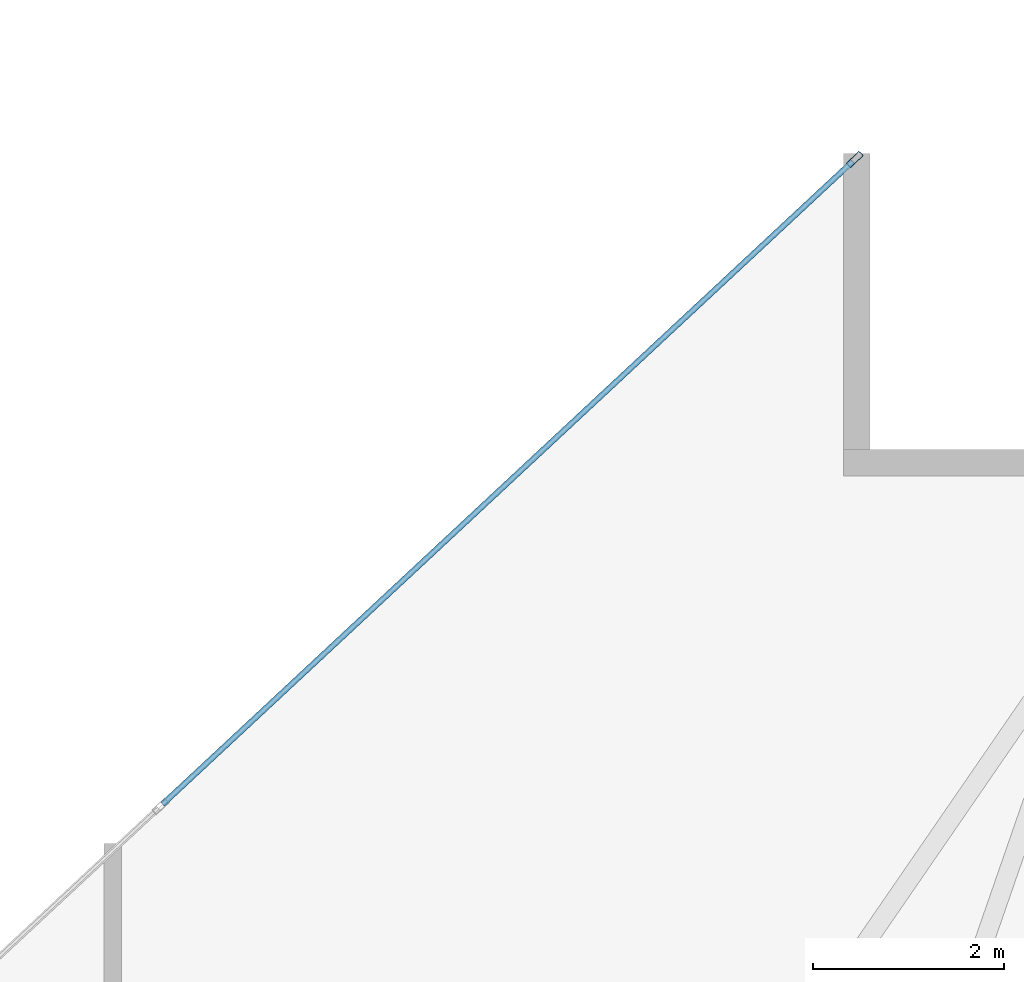
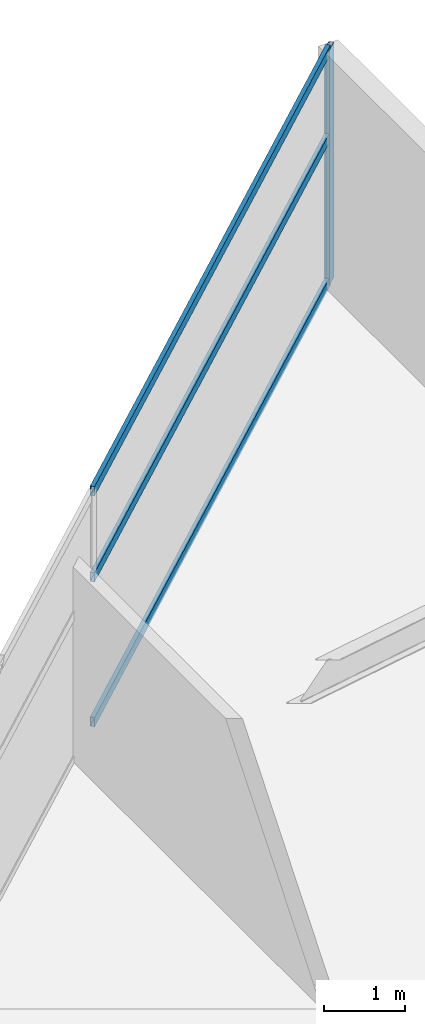
# One storey, part 20 of 27: 4 members, 1 element without a shape of its own.
"""IFC4 building model written with IfcOpenShell, lengths in metres."""

from ifc_helpers import new_model, si_unit, direction, frame, origin, origin_2d, place, context, subcontext, project, spatial, hollow_rectangle, extrude, material, layer, layer_set, material_profile, profile_set, type_object, element, aggregate, save


model = new_model("IFC4")

# Units and contexts
model_context = context("Model", 3, precision=1e-05, world=origin(), true_north=direction((0.0, 1.0)))
body_context = subcontext(model_context, "Body", "Model", "MODEL_VIEW")
ifc_project = project(units=[si_unit("LENGTHUNIT", "METRE"), si_unit("AREAUNIT", "SQUARE_METRE"), si_unit("VOLUMEUNIT", "CUBIC_METRE"), si_unit("PLANEANGLEUNIT", "RADIAN"), si_unit("MASSUNIT", "GRAM", prefix="KILO")], contexts=[model_context])

# Site, building, storey
site_placement = place(None, origin())
site = spatial("IfcSite", under=ifc_project, at=site_placement, CompositionType="ELEMENT")
building_placement = place(site_placement, origin())
building = spatial("IfcBuilding", under=site, at=building_placement, Name="Calvorn Quay Hotel", CompositionType="ELEMENT")
storey_placement = place(building_placement, frame((0.0, 0.0, 230.699951171875)))
storey = spatial("IfcBuildingStorey", under=building, at=storey_placement, Name="L57", CompositionType="ELEMENT", Elevation=230.699951171875)

# Curtain wall, members
ifc_material_1 = material(Name="Champagne Bronze Anodised Aluminium and Low-E Glass", Category="aluminium")
ifc_layer = layer(ifc_material_1, 0.219970703125)
ifc_layer_set = layer_set([ifc_layer], Name="CW-SYS-Z3")
curtain_wall_type = type_object("IfcCurtainWallType", Name="CW-SYS-Z3", PredefinedType="NOTDEFINED", material=ifc_layer_set)
curtain_wall_placement = place(storey_placement, origin())
curtain_wall = element("IfcCurtainWall", 1, at=curtain_wall_placement, inside=storey, type_object=curtain_wall_type, Name="Inner Court Curtain Wall L57-NE1", PredefinedType="NOTDEFINED")
ifc_material_2 = material(Name="Champagne Bronze Anodised Aluminium 6063-T6", Category="aluminium")
ifc_material_profile_1 = material_profile(ifc_material_2, hollow_rectangle(XDim=0.068115234375, YDim=0.18505859375, WallThickness=0.00390625, at=origin_2d()), Name="ALU-M185x68x4")
ifc_profile_set_1 = profile_set([ifc_material_profile_1], Name="Champagne Bronze Anodised Aluminium 6063-T6")
member_type_1 = type_object("IfcMemberType", Name="CW-SYS-Z3-MUL", PredefinedType="MULLION", material=ifc_profile_set_1)
member_1_placement = place(storey_placement, frame((36.177978515625, 37.9794921875, 0.0), z_axis=(0.0, 0.0, 1.0), x_axis=(0.681603655102, -0.731721570922, 0.0)))
member_1 = element("IfcMember", 2, at=member_1_placement, type_object=member_type_1, Name="CW-L57-NE1 mullion 1", PredefinedType="MULLION", context=body_context, shape_type="SweptSolid", body=[
    extrude(hollow_rectangle(XDim=0.068115234375, YDim=0.18505859375, WallThickness=0.00390625, at=origin_2d()), origin(), (0.0, 0.0, 1.0), 3.52001953125),
])
ifc_material_3 = material(Name="Champagne Bronze Anodised Aluminium 6063-T6", Category="aluminium")
ifc_material_profile_2 = material_profile(ifc_material_3, hollow_rectangle(XDim=0.05810546875, YDim=0.139892578125, WallThickness=0.003173828125, at=origin_2d()), Name="ALU-T140x58x3.2")
ifc_profile_set_2 = profile_set([ifc_material_profile_2], Name="Champagne Bronze Anodised Aluminium 6063-T6")
member_type_2 = type_object("IfcMemberType", Name="CW-SYS-Z3-TRN", PredefinedType="USERDEFINED", material=ifc_profile_set_2)
member_2_placement = place(storey_placement, frame((36.156005859375, 37.958984375, 0.030029296875), z_axis=(-0.731727475975, -0.681597315798, 0.0), x_axis=(0.681597315798, -0.731727475975, 0.0)))
member_2 = element("IfcMember", 3, at=member_2_placement, type_object=member_type_2, Name="CW-L57-NE1 transom 1.1", ObjectType="TRANSOM", PredefinedType="USERDEFINED", context=body_context, shape_type="SweptSolid", body=[
    extrude(hollow_rectangle(XDim=0.05810546875, YDim=0.139892578125, WallThickness=0.003173828125, at=origin_2d()), origin(), (0.0, 0.0, 1.0), 9.886474609375),
])
member_3_placement = place(storey_placement, frame((36.156005859375, 37.958984375, 2.199951171875), z_axis=(-0.731727475975, -0.681597315798, 0.0), x_axis=(0.681597315798, -0.731727475975, 0.0)))
member_3 = element("IfcMember", 4, at=member_3_placement, type_object=member_type_2, Name="CW-L57-NE1 transom 1.2", ObjectType="TRANSOM", PredefinedType="USERDEFINED", context=body_context, shape_type="SweptSolid", body=[
    extrude(hollow_rectangle(XDim=0.05810546875, YDim=0.139892578125, WallThickness=0.003173828125, at=origin_2d()), origin(), (0.0, 0.0, 1.0), 9.886474609375),
])
member_4_placement = place(storey_placement, frame((36.156005859375, 37.958984375, 3.489990234375), z_axis=(-0.731727475975, -0.681597315798, 0.0), x_axis=(0.681597315798, -0.731727475975, 0.0)))
member_4 = element("IfcMember", 5, at=member_4_placement, type_object=member_type_2, Name="CW-L57-NE1 transom 1.3", ObjectType="TRANSOM", PredefinedType="USERDEFINED", context=body_context, shape_type="SweptSolid", body=[
    extrude(hollow_rectangle(XDim=0.05810546875, YDim=0.139892578125, WallThickness=0.003173828125, at=origin_2d()), origin(), (0.0, 0.0, 1.0), 9.886474609375),
])
aggregate(curtain_wall, [member_1, member_2, member_3, member_4])

save(model, "model.ifc")
